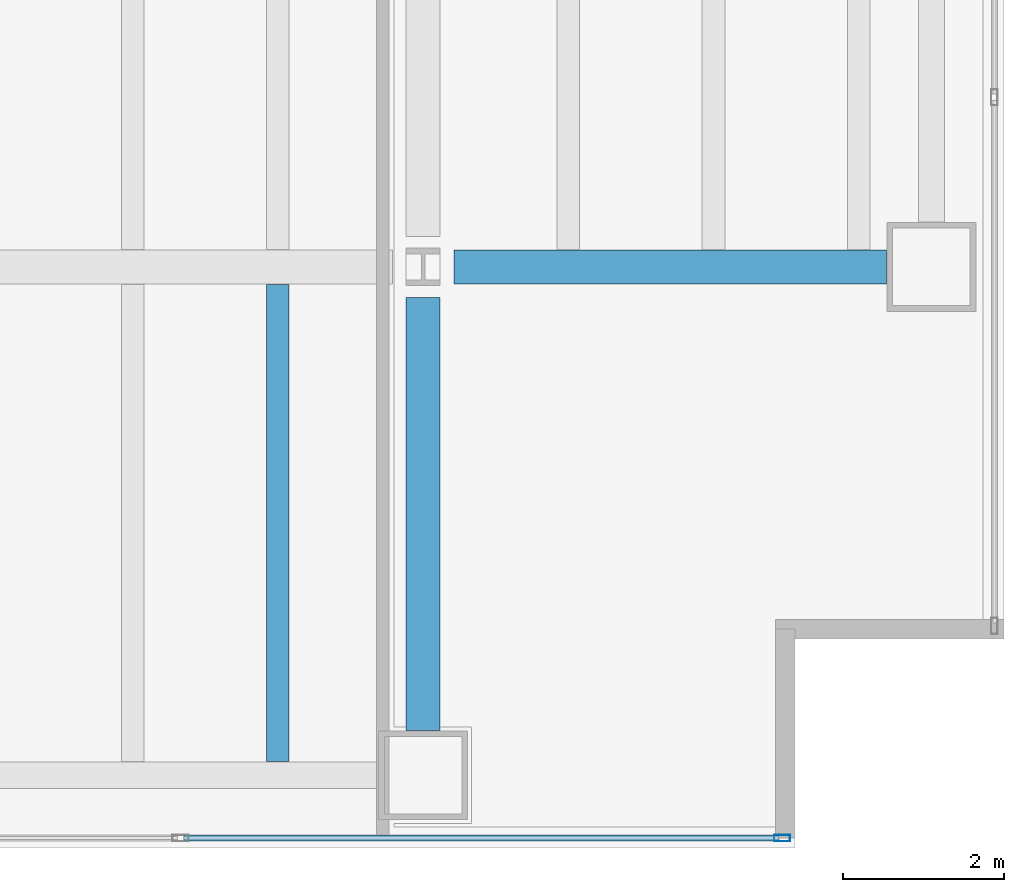
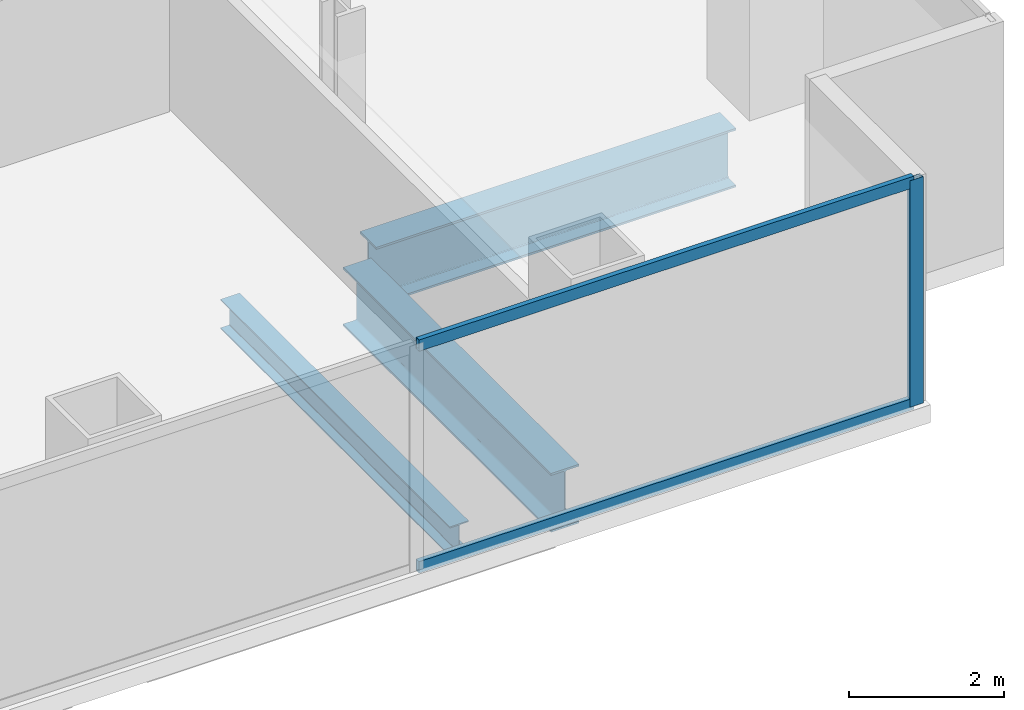
# One storey, part 8 of 24: 3 beams, 3 members, 1 element without a shape of its own.
"""IFC4 building model written with IfcOpenShell, lengths in metres."""

from ifc_helpers import new_model, si_unit, direction, frame, origin, origin_2d, place, context, subcontext, project, spatial, hollow_rectangle, i_section, extrude, material, material_profile, profile_set, type_object, element, aggregate, save


model = new_model("IFC4")

# Units and contexts
model_context = context("Model", 3, precision=1e-05, world=origin(), true_north=direction((0.0, 1.0)))
body_context = subcontext(model_context, "Body", "Model", "MODEL_VIEW")
ifc_project = project(units=[si_unit("LENGTHUNIT", "METRE"), si_unit("AREAUNIT", "SQUARE_METRE"), si_unit("VOLUMEUNIT", "CUBIC_METRE"), si_unit("PLANEANGLEUNIT", "RADIAN"), si_unit("MASSUNIT", "GRAM", prefix="KILO")], contexts=[model_context])

# Site, building, storey
site_placement = place(None, origin())
site = spatial("IfcSite", under=ifc_project, at=site_placement, CompositionType="ELEMENT")
building_placement = place(site_placement, origin())
building = spatial("IfcBuilding", under=site, at=building_placement, Name="Cobrela Telecom Tower", CompositionType="ELEMENT")
storey_placement = place(building_placement, frame((0.0, 0.0, 31.14990234375)))
storey = spatial("IfcBuildingStorey", under=building, at=storey_placement, Name="L07", CompositionType="ELEMENT", Elevation=31.14990234375)

# Beams
ifc_material_1 = material(Name="Steel ASTM A992 Grade 50", Category="steel")
ifc_material_profile_1 = material_profile(ifc_material_1, i_section(OverallWidth=0.4189453125, OverallDepth=0.927001953125, WebThickness=0.019287109375, FlangeThickness=0.031982421875, FilletRadius=0.02392578125, at=origin_2d()), Name="W36X231")
ifc_profile_set_1 = profile_set([ifc_material_profile_1], Name="Steel ASTM A992 Grade 50")
beam_type_1 = type_object("IfcBeamType", Name="BM-GIRD-02", PredefinedType="USERDEFINED", material=ifc_profile_set_1)
for number, where, z_axis, x_axis, name in (
    (1, (43.580078125, 7.199951171875, -0.743408203125), (1.0, 0.0, 0.0), (0.0, 1.0, 0.0), "L07 Primary Girder X08"),
    (2, (43.199951171875, 1.455078125, -0.743408203125), (0.0, 1.0, 0.0), (-1.0, 0.0, 0.0), "L07 Primary Girder Y33"),
):
    element("IfcBeam", number, at=place(storey_placement, frame(where, z_axis=z_axis, x_axis=x_axis)), inside=storey, type_object=beam_type_1, Name=name, ObjectType="GIRDER", PredefinedType="USERDEFINED", context=body_context, shape_type="SweptSolid", body=[
        extrude(i_section(OverallWidth=0.4189453125, OverallDepth=0.927001953125, WebThickness=0.019287109375, FlangeThickness=0.031982421875, FilletRadius=0.02392578125, at=origin_2d()), origin(), (0.0, 0.0, 1.0), 5.364990234375),
    ])
ifc_material_profile_2 = material_profile(ifc_material_1, i_section(OverallWidth=0.281982421875, OverallDepth=0.467041015625, WebThickness=0.01220703125, FlangeThickness=0.01953125, FilletRadius=0.012939453125, at=origin_2d()), Name="W18X86")
ifc_profile_set_2 = profile_set([ifc_material_profile_2], Name="Steel ASTM A992 Grade 50")
beam_type_2 = type_object("IfcBeamType", Name="BM-JOIST-02", PredefinedType="JOIST", material=ifc_profile_set_2)
beam_placement = place(storey_placement, frame((41.39990234375, 1.0673828125, -0.513427734375), z_axis=(0.0, 1.0, 0.0), x_axis=(-1.0, 0.0, 0.0)))
element("IfcBeam", 3, at=beam_placement, inside=storey, type_object=beam_type_2, Name="L07 Secondary Composite Floor Beam J56", PredefinedType="JOIST", context=body_context, shape_type="SweptSolid", body=[
    extrude(i_section(OverallWidth=0.281982421875, OverallDepth=0.467041015625, WebThickness=0.01220703125, FlangeThickness=0.01953125, FilletRadius=0.012939453125, at=origin_2d()), origin(), (0.0, 0.0, 1.0), 5.918212890625),
])

# Curtain wall, members
ifc_material_2 = material(Name="Anodized Bronze Aluminium 6063-T6", Category="aluminium")
curtain_wall_type = type_object("IfcCurtainWallType", Name="CW-SYS-DATA", PredefinedType="USERDEFINED", material=ifc_material_2)
curtain_wall_placement = place(storey_placement, origin())
curtain_wall = element("IfcCurtainWall", 4, at=curtain_wall_placement, inside=storey, type_object=curtain_wall_type, Name="L07 Unitised Bronze Curtain Wall 17", ObjectType="UNITISED CURTAIN WALL", PredefinedType="USERDEFINED")
ifc_material_profile_3 = material_profile(ifc_material_2, hollow_rectangle(XDim=0.080078125, YDim=0.199951171875, WallThickness=0.00390625, at=origin_2d()), Name="ALU 80x200x4")
ifc_profile_set_3 = profile_set([ifc_material_profile_3], Name="Anodized Bronze Aluminium 6063-T6")
member_type_1 = type_object("IfcMemberType", Name="CW-SYS-DATA-MUL", PredefinedType="MULLION", material=ifc_profile_set_3)
member_1_placement = place(storey_placement, frame((47.64990234375, 0.1201171875, 0.0), z_axis=(0.0, 0.0, 1.0), x_axis=(0.0, -1.0, 0.0)))
member_1 = element("IfcMember", 5, at=member_1_placement, type_object=member_type_1, Name="CW-DATA mullion 1", PredefinedType="MULLION", context=body_context, shape_type="SweptSolid", body=[
    extrude(hollow_rectangle(XDim=0.080078125, YDim=0.199951171875, WallThickness=0.00390625, at=origin_2d()), origin(), (0.0, 0.0, 1.0), 3.570068359375),
])
ifc_material_profile_4 = material_profile(ifc_material_2, hollow_rectangle(XDim=0.074951171875, YDim=0.179931640625, WallThickness=0.00390625, at=origin_2d()), Name="ALU 75x180x4")
ifc_profile_set_4 = profile_set([ifc_material_profile_4], Name="Anodized Bronze Aluminium 6063-T6")
member_type_2 = type_object("IfcMemberType", Name="CW-SYS-DATA-TRN", PredefinedType="USERDEFINED", material=ifc_profile_set_4)
member_2_placement = place(storey_placement, frame((47.610107421875, 0.1201171875, 0.03759765625), z_axis=(-1.0, 0.0, 0.0), x_axis=(0.0, -1.0, 0.0)))
member_2 = element("IfcMember", 6, at=member_2_placement, type_object=member_type_2, Name="CW-DATA transom 1.1", ObjectType="TRANSOM", PredefinedType="USERDEFINED", context=body_context, shape_type="SweptSolid", body=[
    extrude(hollow_rectangle(XDim=0.074951171875, YDim=0.179931640625, WallThickness=0.00390625, at=origin_2d()), origin(), (0.0, 0.0, 1.0), 7.376708984375),
])
member_3_placement = place(storey_placement, frame((47.610107421875, 0.1201171875, 3.53271484375), z_axis=(-1.0, 0.0, 0.0), x_axis=(0.0, -1.0, 0.0)))
member_3 = element("IfcMember", 7, at=member_3_placement, type_object=member_type_2, Name="CW-DATA transom 1.2", ObjectType="TRANSOM", PredefinedType="USERDEFINED", context=body_context, shape_type="SweptSolid", body=[
    extrude(hollow_rectangle(XDim=0.074951171875, YDim=0.179931640625, WallThickness=0.00390625, at=origin_2d()), origin(), (0.0, 0.0, 1.0), 7.376708984375),
])
aggregate(curtain_wall, [member_1, member_2, member_3])

save(model, "model.ifc")
